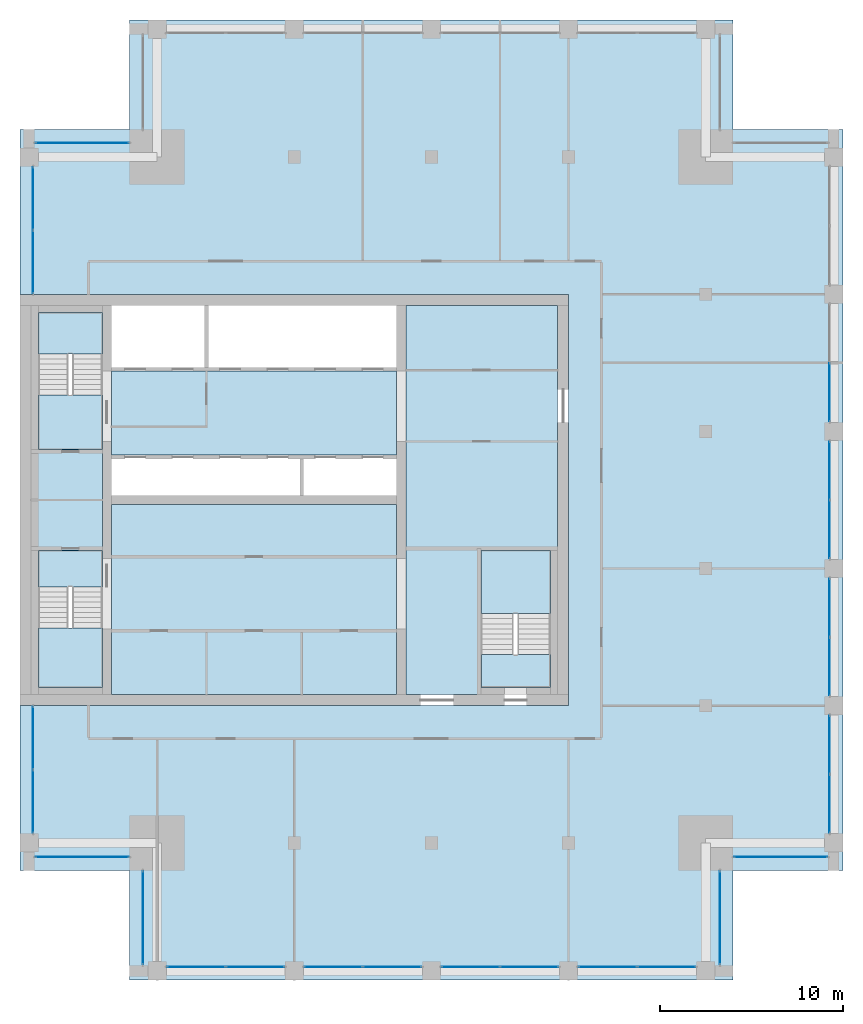
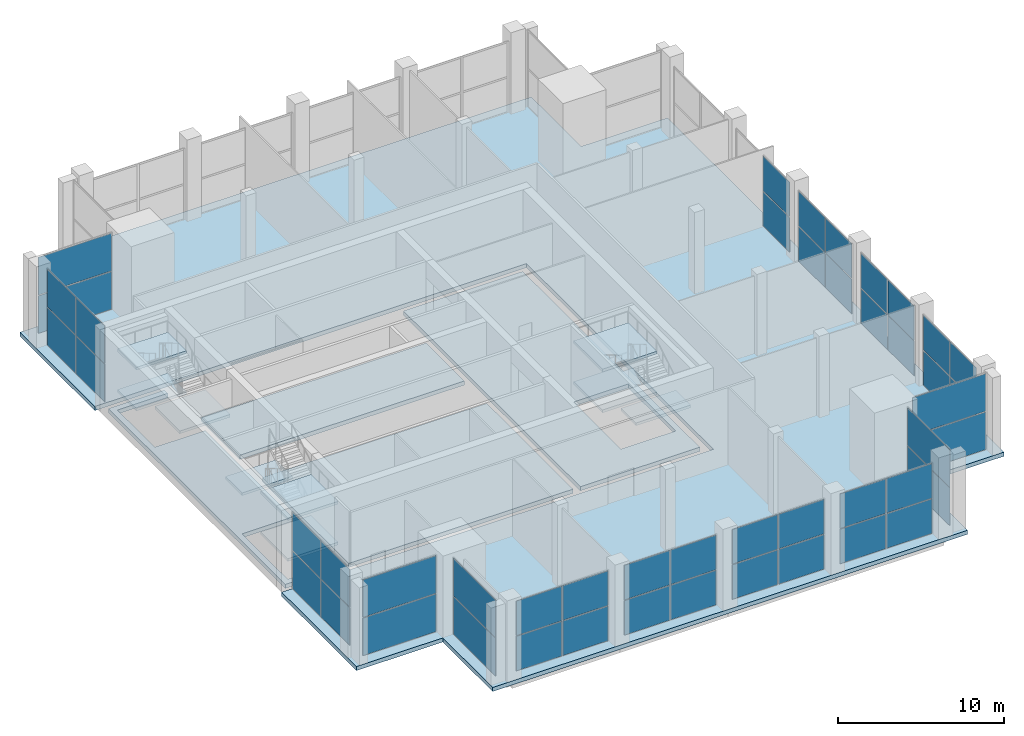
# One storey, part 7 of 15: 48 plates, 14 slabs, 18 elements without a shape of their own.
"""IFC4 building model written with IfcOpenShell, lengths in metres."""

from ifc_helpers import new_model, si_unit, direction, frame, origin, origin_2d, place, context, subcontext, project, spatial, polyline, rectangle, outline, extrude, material, layer, layer_set, type_object, element, aggregate, save


model = new_model("IFC4")

# Units and contexts
model_context = context("Model", 3, precision=1e-05, world=origin(), true_north=direction((0.0, 1.0)))
body_context = subcontext(model_context, "Body", "Model", "MODEL_VIEW")
ifc_project = project(units=[si_unit("LENGTHUNIT", "METRE"), si_unit("AREAUNIT", "SQUARE_METRE"), si_unit("VOLUMEUNIT", "CUBIC_METRE"), si_unit("PLANEANGLEUNIT", "RADIAN"), si_unit("MASSUNIT", "GRAM", prefix="KILO")], contexts=[model_context])

# Site, building, storey
site_placement = place(None, origin())
site = spatial("IfcSite", under=ifc_project, at=site_placement, CompositionType="ELEMENT")
building_placement = place(site_placement, origin())
building = spatial("IfcBuilding", under=site, at=building_placement, Name="Tamorin Gate", CompositionType="ELEMENT")
storey_placement = place(building_placement, frame((0.0, 0.0, 302.699951171875)))
storey = spatial("IfcBuildingStorey", under=building, at=storey_placement, Name="L75", CompositionType="ELEMENT", Elevation=302.699951171875)

# Curtain wall, plates
ifc_material_1 = material(Name="Aluminium mullions and transoms with clear glass", Category="aluminium")
ifc_layer_1 = layer(ifc_material_1, 0.159912109375)
ifc_layer_set_1 = layer_set([ifc_layer_1], Name="Curtain wall system CW4")
curtain_wall_type = type_object("IfcCurtainWallType", Name="Curtain wall system CW4", PredefinedType="NOTDEFINED", material=ifc_layer_set_1)
curtain_wall_1_placement = place(storey_placement, origin())
curtain_wall_1 = element("IfcCurtainWall", 1, at=curtain_wall_1_placement, inside=storey, type_object=curtain_wall_type, Name="Curtain wall", PredefinedType="NOTDEFINED")
ifc_material_2 = material(Name="Clear glass", Category="glass")
ifc_layer_2 = layer(ifc_material_2, 0.028076171875)
ifc_layer_set_2 = layer_set([ifc_layer_2], Name="Clear glass panel IGU 28")
plate_type = type_object("IfcPlateType", Name="Clear glass panel IGU 28", PredefinedType="CURTAIN_PANEL", material=ifc_layer_set_2)
plate_1_placement = place(storey_placement, frame((39.639892578125, 45.719970703125, 0.06005859375), z_axis=(0.0, 0.0, 1.0), x_axis=(1.0, 0.0, 0.0)))
plate_1 = element("IfcPlate", 2, at=plate_1_placement, type_object=plate_type, Name="CW4 panel 1.1", PredefinedType="CURTAIN_PANEL", context=body_context, shape_type="SweptSolid", body=[
    extrude(rectangle(XDim=3.159912109375, YDim=0.028076171875, at=origin_2d()), origin(), (0.0, 0.0, 1.0), 2.534912109375),
])
plate_2_placement = place(storey_placement, frame((39.639892578125, 45.719970703125, 2.6552734375), z_axis=(0.0, 0.0, 1.0), x_axis=(1.0, 0.0, 0.0)))
plate_2 = element("IfcPlate", 3, at=plate_2_placement, type_object=plate_type, Name="CW4 panel 1.2", PredefinedType="CURTAIN_PANEL", context=body_context, shape_type="SweptSolid", body=[
    extrude(rectangle(XDim=3.159912109375, YDim=0.028076171875, at=origin_2d()), origin(), (0.0, 0.0, 1.0), 2.534912109375),
])
plate_3_placement = place(storey_placement, frame((42.860107421875, 45.719970703125, 0.06005859375), z_axis=(0.0, 0.0, 1.0), x_axis=(1.0, 0.0, 0.0)))
plate_3 = element("IfcPlate", 4, at=plate_3_placement, type_object=plate_type, Name="CW4 panel 2.1", PredefinedType="CURTAIN_PANEL", context=body_context, shape_type="SweptSolid", body=[
    extrude(rectangle(XDim=3.159912109375, YDim=0.028076171875, at=origin_2d()), origin(), (0.0, 0.0, 1.0), 2.534912109375),
])
plate_4_placement = place(storey_placement, frame((42.860107421875, 45.719970703125, 2.6552734375), z_axis=(0.0, 0.0, 1.0), x_axis=(1.0, 0.0, 0.0)))
plate_4 = element("IfcPlate", 5, at=plate_4_placement, type_object=plate_type, Name="CW4 panel 2.2", PredefinedType="CURTAIN_PANEL", context=body_context, shape_type="SweptSolid", body=[
    extrude(rectangle(XDim=3.159912109375, YDim=0.028076171875, at=origin_2d()), origin(), (0.0, 0.0, 1.0), 2.534912109375),
])
aggregate(curtain_wall_1, [plate_1, plate_2, plate_3, plate_4])

curtain_wall_2_placement = place(storey_placement, origin())
curtain_wall_2 = element("IfcCurtainWall", 6, at=curtain_wall_2_placement, inside=storey, type_object=curtain_wall_type, Name="Curtain wall", PredefinedType="NOTDEFINED")
plate_5_placement = place(storey_placement, frame((47.139892578125, 45.719970703125, 0.06005859375), z_axis=(0.0, 0.0, 1.0), x_axis=(1.0, 0.0, 0.0)))
plate_5 = element("IfcPlate", 7, at=plate_5_placement, type_object=plate_type, Name="CW4 panel 1.1", PredefinedType="CURTAIN_PANEL", context=body_context, shape_type="SweptSolid", body=[
    extrude(rectangle(XDim=3.159912109375, YDim=0.028076171875, at=origin_2d()), origin(), (0.0, 0.0, 1.0), 2.534912109375),
])
plate_6_placement = place(storey_placement, frame((47.139892578125, 45.719970703125, 2.6552734375), z_axis=(0.0, 0.0, 1.0), x_axis=(1.0, 0.0, 0.0)))
plate_6 = element("IfcPlate", 8, at=plate_6_placement, type_object=plate_type, Name="CW4 panel 1.2", PredefinedType="CURTAIN_PANEL", context=body_context, shape_type="SweptSolid", body=[
    extrude(rectangle(XDim=3.159912109375, YDim=0.028076171875, at=origin_2d()), origin(), (0.0, 0.0, 1.0), 2.534912109375),
])
plate_7_placement = place(storey_placement, frame((50.360107421875, 45.719970703125, 0.06005859375), z_axis=(0.0, 0.0, 1.0), x_axis=(1.0, 0.0, 0.0)))
plate_7 = element("IfcPlate", 9, at=plate_7_placement, type_object=plate_type, Name="CW4 panel 2.1", PredefinedType="CURTAIN_PANEL", context=body_context, shape_type="SweptSolid", body=[
    extrude(rectangle(XDim=3.159912109375, YDim=0.028076171875, at=origin_2d()), origin(), (0.0, 0.0, 1.0), 2.534912109375),
])
plate_8_placement = place(storey_placement, frame((50.360107421875, 45.719970703125, 2.6552734375), z_axis=(0.0, 0.0, 1.0), x_axis=(1.0, 0.0, 0.0)))
plate_8 = element("IfcPlate", 10, at=plate_8_placement, type_object=plate_type, Name="CW4 panel 2.2", PredefinedType="CURTAIN_PANEL", context=body_context, shape_type="SweptSolid", body=[
    extrude(rectangle(XDim=3.159912109375, YDim=0.028076171875, at=origin_2d()), origin(), (0.0, 0.0, 1.0), 2.534912109375),
])
aggregate(curtain_wall_2, [plate_5, plate_6, plate_7, plate_8])

curtain_wall_3_placement = place(storey_placement, origin())
curtain_wall_3 = element("IfcCurtainWall", 11, at=curtain_wall_3_placement, inside=storey, type_object=curtain_wall_type, Name="Curtain wall", PredefinedType="NOTDEFINED")
plate_9_placement = place(storey_placement, frame((54.639892578125, 45.719970703125, 0.06005859375), z_axis=(0.0, 0.0, 1.0), x_axis=(1.0, 0.0, 0.0)))
plate_9 = element("IfcPlate", 12, at=plate_9_placement, type_object=plate_type, Name="CW4 panel 1.1", PredefinedType="CURTAIN_PANEL", context=body_context, shape_type="SweptSolid", body=[
    extrude(rectangle(XDim=3.159912109375, YDim=0.028076171875, at=origin_2d()), origin(), (0.0, 0.0, 1.0), 2.534912109375),
])
plate_10_placement = place(storey_placement, frame((54.639892578125, 45.719970703125, 2.6552734375), z_axis=(0.0, 0.0, 1.0), x_axis=(1.0, 0.0, 0.0)))
plate_10 = element("IfcPlate", 13, at=plate_10_placement, type_object=plate_type, Name="CW4 panel 1.2", PredefinedType="CURTAIN_PANEL", context=body_context, shape_type="SweptSolid", body=[
    extrude(rectangle(XDim=3.159912109375, YDim=0.028076171875, at=origin_2d()), origin(), (0.0, 0.0, 1.0), 2.534912109375),
])
plate_11_placement = place(storey_placement, frame((57.860107421875, 45.719970703125, 0.06005859375), z_axis=(0.0, 0.0, 1.0), x_axis=(1.0, 0.0, 0.0)))
plate_11 = element("IfcPlate", 14, at=plate_11_placement, type_object=plate_type, Name="CW4 panel 2.1", PredefinedType="CURTAIN_PANEL", context=body_context, shape_type="SweptSolid", body=[
    extrude(rectangle(XDim=3.159912109375, YDim=0.028076171875, at=origin_2d()), origin(), (0.0, 0.0, 1.0), 2.534912109375),
])
plate_12_placement = place(storey_placement, frame((57.860107421875, 45.719970703125, 2.6552734375), z_axis=(0.0, 0.0, 1.0), x_axis=(1.0, 0.0, 0.0)))
plate_12 = element("IfcPlate", 15, at=plate_12_placement, type_object=plate_type, Name="CW4 panel 2.2", PredefinedType="CURTAIN_PANEL", context=body_context, shape_type="SweptSolid", body=[
    extrude(rectangle(XDim=3.159912109375, YDim=0.028076171875, at=origin_2d()), origin(), (0.0, 0.0, 1.0), 2.534912109375),
])
aggregate(curtain_wall_3, [plate_9, plate_10, plate_11, plate_12])

curtain_wall_4_placement = place(storey_placement, origin())
curtain_wall_4 = element("IfcCurtainWall", 16, at=curtain_wall_4_placement, inside=storey, type_object=curtain_wall_type, Name="Curtain wall", PredefinedType="NOTDEFINED")
plate_13_placement = place(storey_placement, frame((62.139892578125, 45.719970703125, 0.06005859375), z_axis=(0.0, 0.0, 1.0), x_axis=(1.0, 0.0, 0.0)))
plate_13 = element("IfcPlate", 17, at=plate_13_placement, type_object=plate_type, Name="CW4 panel 1.1", PredefinedType="CURTAIN_PANEL", context=body_context, shape_type="SweptSolid", body=[
    extrude(rectangle(XDim=3.159912109375, YDim=0.028076171875, at=origin_2d()), origin(), (0.0, 0.0, 1.0), 2.534912109375),
])
plate_14_placement = place(storey_placement, frame((62.139892578125, 45.719970703125, 2.6552734375), z_axis=(0.0, 0.0, 1.0), x_axis=(1.0, 0.0, 0.0)))
plate_14 = element("IfcPlate", 18, at=plate_14_placement, type_object=plate_type, Name="CW4 panel 1.2", PredefinedType="CURTAIN_PANEL", context=body_context, shape_type="SweptSolid", body=[
    extrude(rectangle(XDim=3.159912109375, YDim=0.028076171875, at=origin_2d()), origin(), (0.0, 0.0, 1.0), 2.534912109375),
])
plate_15_placement = place(storey_placement, frame((65.360107421875, 45.719970703125, 0.06005859375), z_axis=(0.0, 0.0, 1.0), x_axis=(1.0, 0.0, 0.0)))
plate_15 = element("IfcPlate", 19, at=plate_15_placement, type_object=plate_type, Name="CW4 panel 2.1", PredefinedType="CURTAIN_PANEL", context=body_context, shape_type="SweptSolid", body=[
    extrude(rectangle(XDim=3.159912109375, YDim=0.028076171875, at=origin_2d()), origin(), (0.0, 0.0, 1.0), 2.534912109375),
])
plate_16_placement = place(storey_placement, frame((65.360107421875, 45.719970703125, 2.6552734375), z_axis=(0.0, 0.0, 1.0), x_axis=(1.0, 0.0, 0.0)))
plate_16 = element("IfcPlate", 20, at=plate_16_placement, type_object=plate_type, Name="CW4 panel 2.2", PredefinedType="CURTAIN_PANEL", context=body_context, shape_type="SweptSolid", body=[
    extrude(rectangle(XDim=3.159912109375, YDim=0.028076171875, at=origin_2d()), origin(), (0.0, 0.0, 1.0), 2.534912109375),
])
aggregate(curtain_wall_4, [plate_13, plate_14, plate_15, plate_16])

curtain_wall_5_placement = place(storey_placement, origin())
curtain_wall_5 = element("IfcCurtainWall", 21, at=curtain_wall_5_placement, inside=storey, type_object=curtain_wall_type, Name="Curtain wall", PredefinedType="NOTDEFINED")
plate_17_placement = place(storey_placement, frame((68.280029296875, 48.39990234375, 0.06005859375), z_axis=(0.0, 0.0, 1.0), x_axis=(0.0, 1.0, 0.0)))
plate_17 = element("IfcPlate", 22, at=plate_17_placement, type_object=plate_type, Name="CW4 panel 1.1", PredefinedType="CURTAIN_PANEL", context=body_context, shape_type="SweptSolid", body=[
    extrude(rectangle(XDim=5.080078125, YDim=0.028076171875, at=origin_2d()), origin(), (0.0, 0.0, 1.0), 2.760009765625),
])
plate_18_placement = place(storey_placement, frame((68.280029296875, 48.39990234375, 2.8798828125), z_axis=(0.0, 0.0, 1.0), x_axis=(0.0, 1.0, 0.0)))
plate_18 = element("IfcPlate", 23, at=plate_18_placement, type_object=plate_type, Name="CW4 panel 1.2", PredefinedType="CURTAIN_PANEL", context=body_context, shape_type="SweptSolid", body=[
    extrude(rectangle(XDim=5.080078125, YDim=0.028076171875, at=origin_2d()), origin(), (0.0, 0.0, 1.0), 2.760009765625),
])
aggregate(curtain_wall_5, [plate_17, plate_18])

curtain_wall_6_placement = place(storey_placement, origin())
curtain_wall_6 = element("IfcCurtainWall", 24, at=curtain_wall_6_placement, inside=storey, type_object=curtain_wall_type, Name="Curtain wall", PredefinedType="NOTDEFINED")
plate_19_placement = place(storey_placement, frame((71.60009765625, 51.719970703125, 0.06005859375), z_axis=(0.0, 0.0, 1.0), x_axis=(1.0, 0.0, 0.0)))
plate_19 = element("IfcPlate", 25, at=plate_19_placement, type_object=plate_type, Name="CW4 panel 1.1", PredefinedType="CURTAIN_PANEL", context=body_context, shape_type="SweptSolid", body=[
    extrude(rectangle(XDim=5.080078125, YDim=0.028076171875, at=origin_2d()), origin(), (0.0, 0.0, 1.0), 2.760009765625),
])
plate_20_placement = place(storey_placement, frame((71.60009765625, 51.719970703125, 2.8798828125), z_axis=(0.0, 0.0, 1.0), x_axis=(1.0, 0.0, 0.0)))
plate_20 = element("IfcPlate", 26, at=plate_20_placement, type_object=plate_type, Name="CW4 panel 1.2", PredefinedType="CURTAIN_PANEL", context=body_context, shape_type="SweptSolid", body=[
    extrude(rectangle(XDim=5.080078125, YDim=0.028076171875, at=origin_2d()), origin(), (0.0, 0.0, 1.0), 2.760009765625),
])
aggregate(curtain_wall_6, [plate_19, plate_20])

curtain_wall_7_placement = place(storey_placement, origin())
curtain_wall_7 = element("IfcCurtainWall", 27, at=curtain_wall_7_placement, inside=storey, type_object=curtain_wall_type, Name="Curtain wall", PredefinedType="NOTDEFINED")
plate_21_placement = place(storey_placement, frame((74.280029296875, 54.639892578125, 0.06005859375), z_axis=(0.0, 0.0, 1.0), x_axis=(0.0, 1.0, 0.0)))
plate_21 = element("IfcPlate", 28, at=plate_21_placement, type_object=plate_type, Name="CW4 panel 1.1", PredefinedType="CURTAIN_PANEL", context=body_context, shape_type="SweptSolid", body=[
    extrude(rectangle(XDim=3.159912109375, YDim=0.028076171875, at=origin_2d()), origin(), (0.0, 0.0, 1.0), 2.534912109375),
])
plate_22_placement = place(storey_placement, frame((74.280029296875, 54.639892578125, 2.6552734375), z_axis=(0.0, 0.0, 1.0), x_axis=(0.0, 1.0, 0.0)))
plate_22 = element("IfcPlate", 29, at=plate_22_placement, type_object=plate_type, Name="CW4 panel 1.2", PredefinedType="CURTAIN_PANEL", context=body_context, shape_type="SweptSolid", body=[
    extrude(rectangle(XDim=3.159912109375, YDim=0.028076171875, at=origin_2d()), origin(), (0.0, 0.0, 1.0), 2.534912109375),
])
plate_23_placement = place(storey_placement, frame((74.280029296875, 57.860107421875, 0.06005859375), z_axis=(0.0, 0.0, 1.0), x_axis=(0.0, 1.0, 0.0)))
plate_23 = element("IfcPlate", 30, at=plate_23_placement, type_object=plate_type, Name="CW4 panel 2.1", PredefinedType="CURTAIN_PANEL", context=body_context, shape_type="SweptSolid", body=[
    extrude(rectangle(XDim=3.159912109375, YDim=0.028076171875, at=origin_2d()), origin(), (0.0, 0.0, 1.0), 2.534912109375),
])
plate_24_placement = place(storey_placement, frame((74.280029296875, 57.860107421875, 2.6552734375), z_axis=(0.0, 0.0, 1.0), x_axis=(0.0, 1.0, 0.0)))
plate_24 = element("IfcPlate", 31, at=plate_24_placement, type_object=plate_type, Name="CW4 panel 2.2", PredefinedType="CURTAIN_PANEL", context=body_context, shape_type="SweptSolid", body=[
    extrude(rectangle(XDim=3.159912109375, YDim=0.028076171875, at=origin_2d()), origin(), (0.0, 0.0, 1.0), 2.534912109375),
])
aggregate(curtain_wall_7, [plate_21, plate_22, plate_23, plate_24])

curtain_wall_8_placement = place(storey_placement, origin())
curtain_wall_8 = element("IfcCurtainWall", 32, at=curtain_wall_8_placement, inside=storey, type_object=curtain_wall_type, Name="Curtain wall", PredefinedType="NOTDEFINED")
plate_25_placement = place(storey_placement, frame((74.280029296875, 62.139892578125, 0.06005859375), z_axis=(0.0, 0.0, 1.0), x_axis=(0.0, 1.0, 0.0)))
plate_25 = element("IfcPlate", 33, at=plate_25_placement, type_object=plate_type, Name="CW4 panel 1.1", PredefinedType="CURTAIN_PANEL", context=body_context, shape_type="SweptSolid", body=[
    extrude(rectangle(XDim=3.159912109375, YDim=0.028076171875, at=origin_2d()), origin(), (0.0, 0.0, 1.0), 2.534912109375),
])
plate_26_placement = place(storey_placement, frame((74.280029296875, 62.139892578125, 2.6552734375), z_axis=(0.0, 0.0, 1.0), x_axis=(0.0, 1.0, 0.0)))
plate_26 = element("IfcPlate", 34, at=plate_26_placement, type_object=plate_type, Name="CW4 panel 1.2", PredefinedType="CURTAIN_PANEL", context=body_context, shape_type="SweptSolid", body=[
    extrude(rectangle(XDim=3.159912109375, YDim=0.028076171875, at=origin_2d()), origin(), (0.0, 0.0, 1.0), 2.534912109375),
])
plate_27_placement = place(storey_placement, frame((74.280029296875, 65.360107421875, 0.06005859375), z_axis=(0.0, 0.0, 1.0), x_axis=(0.0, 1.0, 0.0)))
plate_27 = element("IfcPlate", 35, at=plate_27_placement, type_object=plate_type, Name="CW4 panel 2.1", PredefinedType="CURTAIN_PANEL", context=body_context, shape_type="SweptSolid", body=[
    extrude(rectangle(XDim=3.159912109375, YDim=0.028076171875, at=origin_2d()), origin(), (0.0, 0.0, 1.0), 2.534912109375),
])
plate_28_placement = place(storey_placement, frame((74.280029296875, 65.360107421875, 2.6552734375), z_axis=(0.0, 0.0, 1.0), x_axis=(0.0, 1.0, 0.0)))
plate_28 = element("IfcPlate", 36, at=plate_28_placement, type_object=plate_type, Name="CW4 panel 2.2", PredefinedType="CURTAIN_PANEL", context=body_context, shape_type="SweptSolid", body=[
    extrude(rectangle(XDim=3.159912109375, YDim=0.028076171875, at=origin_2d()), origin(), (0.0, 0.0, 1.0), 2.534912109375),
])
aggregate(curtain_wall_8, [plate_25, plate_26, plate_27, plate_28])

curtain_wall_9_placement = place(storey_placement, origin())
curtain_wall_9 = element("IfcCurtainWall", 37, at=curtain_wall_9_placement, inside=storey, type_object=curtain_wall_type, Name="Curtain wall", PredefinedType="NOTDEFINED")
plate_29_placement = place(storey_placement, frame((74.280029296875, 69.639892578125, 0.06005859375), z_axis=(0.0, 0.0, 1.0), x_axis=(0.0, 1.0, 0.0)))
plate_29 = element("IfcPlate", 38, at=plate_29_placement, type_object=plate_type, Name="CW4 panel 1.1", PredefinedType="CURTAIN_PANEL", context=body_context, shape_type="SweptSolid", body=[
    extrude(rectangle(XDim=3.159912109375, YDim=0.028076171875, at=origin_2d()), origin(), (0.0, 0.0, 1.0), 2.534912109375),
])
plate_30_placement = place(storey_placement, frame((74.280029296875, 69.639892578125, 2.6552734375), z_axis=(0.0, 0.0, 1.0), x_axis=(0.0, 1.0, 0.0)))
plate_30 = element("IfcPlate", 39, at=plate_30_placement, type_object=plate_type, Name="CW4 panel 1.2", PredefinedType="CURTAIN_PANEL", context=body_context, shape_type="SweptSolid", body=[
    extrude(rectangle(XDim=3.159912109375, YDim=0.028076171875, at=origin_2d()), origin(), (0.0, 0.0, 1.0), 2.534912109375),
])
plate_31_placement = place(storey_placement, frame((74.280029296875, 72.860107421875, 0.06005859375), z_axis=(0.0, 0.0, 1.0), x_axis=(0.0, 1.0, 0.0)))
plate_31 = element("IfcPlate", 40, at=plate_31_placement, type_object=plate_type, Name="CW4 panel 2.1", PredefinedType="CURTAIN_PANEL", context=body_context, shape_type="SweptSolid", body=[
    extrude(rectangle(XDim=3.159912109375, YDim=0.028076171875, at=origin_2d()), origin(), (0.0, 0.0, 1.0), 2.534912109375),
])
plate_32_placement = place(storey_placement, frame((74.280029296875, 72.860107421875, 2.6552734375), z_axis=(0.0, 0.0, 1.0), x_axis=(0.0, 1.0, 0.0)))
plate_32 = element("IfcPlate", 41, at=plate_32_placement, type_object=plate_type, Name="CW4 panel 2.2", PredefinedType="CURTAIN_PANEL", context=body_context, shape_type="SweptSolid", body=[
    extrude(rectangle(XDim=3.159912109375, YDim=0.028076171875, at=origin_2d()), origin(), (0.0, 0.0, 1.0), 2.534912109375),
])
aggregate(curtain_wall_9, [plate_29, plate_30, plate_31, plate_32])

curtain_wall_10_placement = place(storey_placement, origin())
curtain_wall_10 = element("IfcCurtainWall", 42, at=curtain_wall_10_placement, inside=storey, type_object=curtain_wall_type, Name="Curtain wall", PredefinedType="NOTDEFINED")
plate_33_placement = place(storey_placement, frame((74.280029296875, 77.139892578125, 0.06005859375), z_axis=(0.0, 0.0, 1.0), x_axis=(0.0, 1.0, 0.0)))
plate_33 = element("IfcPlate", 43, at=plate_33_placement, type_object=plate_type, Name="CW4 panel 1.1", PredefinedType="CURTAIN_PANEL", context=body_context, shape_type="SweptSolid", body=[
    extrude(rectangle(XDim=3.159912109375, YDim=0.028076171875, at=origin_2d()), origin(), (0.0, 0.0, 1.0), 2.534912109375),
])
plate_34_placement = place(storey_placement, frame((74.280029296875, 77.139892578125, 2.6552734375), z_axis=(0.0, 0.0, 1.0), x_axis=(0.0, 1.0, 0.0)))
plate_34 = element("IfcPlate", 44, at=plate_34_placement, type_object=plate_type, Name="CW4 panel 1.2", PredefinedType="CURTAIN_PANEL", context=body_context, shape_type="SweptSolid", body=[
    extrude(rectangle(XDim=3.159912109375, YDim=0.028076171875, at=origin_2d()), origin(), (0.0, 0.0, 1.0), 2.534912109375),
])
aggregate(curtain_wall_10, [plate_33, plate_34])

curtain_wall_11_placement = place(storey_placement, origin())
curtain_wall_11 = element("IfcCurtainWall", 45, at=curtain_wall_11_placement, inside=storey, type_object=curtain_wall_type, Name="Curtain wall", PredefinedType="NOTDEFINED")
plate_35_placement = place(storey_placement, frame((33.39990234375, 90.780029296875, 0.06005859375), z_axis=(0.0, 0.0, 1.0), x_axis=(-1.0, 0.0, 0.0)))
plate_35 = element("IfcPlate", 46, at=plate_35_placement, type_object=plate_type, Name="CW4 panel 1.1", PredefinedType="CURTAIN_PANEL", context=body_context, shape_type="SweptSolid", body=[
    extrude(rectangle(XDim=5.080078125, YDim=0.028076171875, at=origin_2d()), origin(), (0.0, 0.0, 1.0), 2.760009765625),
])
plate_36_placement = place(storey_placement, frame((33.39990234375, 90.780029296875, 2.8798828125), z_axis=(0.0, 0.0, 1.0), x_axis=(-1.0, 0.0, 0.0)))
plate_36 = element("IfcPlate", 47, at=plate_36_placement, type_object=plate_type, Name="CW4 panel 1.2", PredefinedType="CURTAIN_PANEL", context=body_context, shape_type="SweptSolid", body=[
    extrude(rectangle(XDim=5.080078125, YDim=0.028076171875, at=origin_2d()), origin(), (0.0, 0.0, 1.0), 2.760009765625),
])
aggregate(curtain_wall_11, [plate_35, plate_36])

curtain_wall_12_placement = place(storey_placement, origin())
curtain_wall_12 = element("IfcCurtainWall", 48, at=curtain_wall_12_placement, inside=storey, type_object=curtain_wall_type, Name="Curtain wall", PredefinedType="NOTDEFINED")
plate_37_placement = place(storey_placement, frame((30.719970703125, 87.735107421875, 0.06005859375), z_axis=(0.0, 0.0, 1.0), x_axis=(0.0, -1.0, 0.0)))
plate_37 = element("IfcPlate", 49, at=plate_37_placement, type_object=plate_type, Name="CW4 panel 1.1", PredefinedType="CURTAIN_PANEL", context=body_context, shape_type="SweptSolid", body=[
    extrude(rectangle(XDim=3.409912109375, YDim=0.028076171875, at=origin_2d()), origin(), (0.0, 0.0, 1.0), 2.760009765625),
])
plate_38_placement = place(storey_placement, frame((30.719970703125, 87.735107421875, 2.8798828125), z_axis=(0.0, 0.0, 1.0), x_axis=(0.0, -1.0, 0.0)))
plate_38 = element("IfcPlate", 50, at=plate_38_placement, type_object=plate_type, Name="CW4 panel 1.2", PredefinedType="CURTAIN_PANEL", context=body_context, shape_type="SweptSolid", body=[
    extrude(rectangle(XDim=3.409912109375, YDim=0.028076171875, at=origin_2d()), origin(), (0.0, 0.0, 1.0), 2.760009765625),
])
plate_39_placement = place(storey_placement, frame((30.719970703125, 84.264892578125, 0.06005859375), z_axis=(0.0, 0.0, 1.0), x_axis=(0.0, -1.0, 0.0)))
plate_39 = element("IfcPlate", 51, at=plate_39_placement, type_object=plate_type, Name="CW4 panel 2.1", PredefinedType="CURTAIN_PANEL", context=body_context, shape_type="SweptSolid", body=[
    extrude(rectangle(XDim=3.409912109375, YDim=0.028076171875, at=origin_2d()), origin(), (0.0, 0.0, 1.0), 2.760009765625),
])
plate_40_placement = place(storey_placement, frame((30.719970703125, 84.264892578125, 2.8798828125), z_axis=(0.0, 0.0, 1.0), x_axis=(0.0, -1.0, 0.0)))
plate_40 = element("IfcPlate", 52, at=plate_40_placement, type_object=plate_type, Name="CW4 panel 2.2", PredefinedType="CURTAIN_PANEL", context=body_context, shape_type="SweptSolid", body=[
    extrude(rectangle(XDim=3.409912109375, YDim=0.028076171875, at=origin_2d()), origin(), (0.0, 0.0, 1.0), 2.760009765625),
])
aggregate(curtain_wall_12, [plate_37, plate_38, plate_39, plate_40])

curtain_wall_13_placement = place(storey_placement, origin())
curtain_wall_13 = element("IfcCurtainWall", 53, at=curtain_wall_13_placement, inside=storey, type_object=curtain_wall_type, Name="Curtain wall", PredefinedType="NOTDEFINED")
plate_41_placement = place(storey_placement, frame((30.719970703125, 58.235107421875, 0.06005859375), z_axis=(0.0, 0.0, 1.0), x_axis=(0.0, -1.0, 0.0)))
plate_41 = element("IfcPlate", 54, at=plate_41_placement, type_object=plate_type, Name="CW4 panel 1.1", PredefinedType="CURTAIN_PANEL", context=body_context, shape_type="SweptSolid", body=[
    extrude(rectangle(XDim=3.409912109375, YDim=0.028076171875, at=origin_2d()), origin(), (0.0, 0.0, 1.0), 2.760009765625),
])
plate_42_placement = place(storey_placement, frame((30.719970703125, 58.235107421875, 2.8798828125), z_axis=(0.0, 0.0, 1.0), x_axis=(0.0, -1.0, 0.0)))
plate_42 = element("IfcPlate", 55, at=plate_42_placement, type_object=plate_type, Name="CW4 panel 1.2", PredefinedType="CURTAIN_PANEL", context=body_context, shape_type="SweptSolid", body=[
    extrude(rectangle(XDim=3.409912109375, YDim=0.028076171875, at=origin_2d()), origin(), (0.0, 0.0, 1.0), 2.760009765625),
])
plate_43_placement = place(storey_placement, frame((30.719970703125, 54.764892578125, 0.06005859375), z_axis=(0.0, 0.0, 1.0), x_axis=(0.0, -1.0, 0.0)))
plate_43 = element("IfcPlate", 56, at=plate_43_placement, type_object=plate_type, Name="CW4 panel 2.1", PredefinedType="CURTAIN_PANEL", context=body_context, shape_type="SweptSolid", body=[
    extrude(rectangle(XDim=3.409912109375, YDim=0.028076171875, at=origin_2d()), origin(), (0.0, 0.0, 1.0), 2.760009765625),
])
plate_44_placement = place(storey_placement, frame((30.719970703125, 54.764892578125, 2.8798828125), z_axis=(0.0, 0.0, 1.0), x_axis=(0.0, -1.0, 0.0)))
plate_44 = element("IfcPlate", 57, at=plate_44_placement, type_object=plate_type, Name="CW4 panel 2.2", PredefinedType="CURTAIN_PANEL", context=body_context, shape_type="SweptSolid", body=[
    extrude(rectangle(XDim=3.409912109375, YDim=0.028076171875, at=origin_2d()), origin(), (0.0, 0.0, 1.0), 2.760009765625),
])
aggregate(curtain_wall_13, [plate_41, plate_42, plate_43, plate_44])

curtain_wall_14_placement = place(storey_placement, origin())
curtain_wall_14 = element("IfcCurtainWall", 58, at=curtain_wall_14_placement, inside=storey, type_object=curtain_wall_type, Name="Curtain wall", PredefinedType="NOTDEFINED")
plate_45_placement = place(storey_placement, frame((33.39990234375, 51.719970703125, 0.06005859375), z_axis=(0.0, 0.0, 1.0), x_axis=(1.0, 0.0, 0.0)))
plate_45 = element("IfcPlate", 59, at=plate_45_placement, type_object=plate_type, Name="CW4 panel 1.1", PredefinedType="CURTAIN_PANEL", context=body_context, shape_type="SweptSolid", body=[
    extrude(rectangle(XDim=5.080078125, YDim=0.028076171875, at=origin_2d()), origin(), (0.0, 0.0, 1.0), 2.760009765625),
])
plate_46_placement = place(storey_placement, frame((33.39990234375, 51.719970703125, 2.8798828125), z_axis=(0.0, 0.0, 1.0), x_axis=(1.0, 0.0, 0.0)))
plate_46 = element("IfcPlate", 60, at=plate_46_placement, type_object=plate_type, Name="CW4 panel 1.2", PredefinedType="CURTAIN_PANEL", context=body_context, shape_type="SweptSolid", body=[
    extrude(rectangle(XDim=5.080078125, YDim=0.028076171875, at=origin_2d()), origin(), (0.0, 0.0, 1.0), 2.760009765625),
])
aggregate(curtain_wall_14, [plate_45, plate_46])

curtain_wall_15_placement = place(storey_placement, origin())
curtain_wall_15 = element("IfcCurtainWall", 61, at=curtain_wall_15_placement, inside=storey, type_object=curtain_wall_type, Name="Curtain wall", PredefinedType="NOTDEFINED")
plate_47_placement = place(storey_placement, frame((36.719970703125, 48.39990234375, 0.06005859375), z_axis=(0.0, 0.0, 1.0), x_axis=(0.0, -1.0, 0.0)))
plate_47 = element("IfcPlate", 62, at=plate_47_placement, type_object=plate_type, Name="CW4 panel 1.1", PredefinedType="CURTAIN_PANEL", context=body_context, shape_type="SweptSolid", body=[
    extrude(rectangle(XDim=5.080078125, YDim=0.028076171875, at=origin_2d()), origin(), (0.0, 0.0, 1.0), 2.760009765625),
])
plate_48_placement = place(storey_placement, frame((36.719970703125, 48.39990234375, 2.8798828125), z_axis=(0.0, 0.0, 1.0), x_axis=(0.0, -1.0, 0.0)))
plate_48 = element("IfcPlate", 63, at=plate_48_placement, type_object=plate_type, Name="CW4 panel 1.2", PredefinedType="CURTAIN_PANEL", context=body_context, shape_type="SweptSolid", body=[
    extrude(rectangle(XDim=5.080078125, YDim=0.028076171875, at=origin_2d()), origin(), (0.0, 0.0, 1.0), 2.760009765625),
])
aggregate(curtain_wall_15, [plate_47, plate_48])

# Slabs
ifc_material_3 = material(Name="Concrete C40/50", Category="concrete")
ifc_layer_3 = layer(ifc_material_3, 0.300048828125)
ifc_layer_set_3 = layer_set([ifc_layer_3], Name="Core floor slab 300 C40/50")
slab_type_1 = type_object("IfcSlabType", Name="Core floor slab 300 C40/50", PredefinedType="FLOOR", material=ifc_layer_set_3)
slab_1_placement = place(storey_placement, frame((0.0, 0.0, -0.300048828125)))
element("IfcSlab", 64, at=slab_1_placement, inside=storey, type_object=slab_type_1, Name="Core floor L75", PredefinedType="FLOOR", context=body_context, shape_type="SweptSolid", body=[
    extrude(outline(polyline([(51.10009765625, 81.89990234375), (59.39990234375, 81.89990234375), (59.39990234375, 60.60009765625), (51.10009765625, 60.60009765625), (51.10009765625, 81.89990234375)]), holes=[polyline([(55.199951171875, 62.800048828125), (59.0, 62.800048828125), (59.0, 68.5), (55.199951171875, 68.5), (55.199951171875, 62.800048828125)])]), origin(), (0.0, 0.0, 1.0), 0.300048828125),
])
slab_2_placement = place(storey_placement, frame((0.0, 0.0, -0.300048828125)))
element("IfcSlab", 65, at=slab_2_placement, inside=storey, type_object=slab_type_1, Name="Core floor L75", PredefinedType="FLOOR", context=body_context, shape_type="SweptSolid", body=[
    extrude(outline(polyline([(50.60009765625, 71.0), (50.60009765625, 60.60009765625), (35.0, 60.60009765625), (35.0, 71.0), (50.60009765625, 71.0)])), origin(), (0.0, 0.0, 1.0), 0.300048828125),
])
slab_3_placement = place(storey_placement, frame((0.0, 0.0, -0.300048828125)))
element("IfcSlab", 66, at=slab_3_placement, inside=storey, type_object=slab_type_1, Name="Core floor L75", PredefinedType="FLOOR", context=body_context, shape_type="SweptSolid", body=[
    extrude(outline(polyline([(50.60009765625, 73.699951171875), (35.0, 73.699951171875), (35.0, 78.300048828125), (50.60009765625, 78.300048828125), (50.60009765625, 73.699951171875)])), origin(), (0.0, 0.0, 1.0), 0.300048828125),
])
slab_4_placement = place(storey_placement, frame((0.0, 0.0, -0.300048828125)))
element("IfcSlab", 67, at=slab_4_placement, inside=storey, type_object=slab_type_1, Name="Core floor L75", PredefinedType="FLOOR", context=body_context, shape_type="SweptSolid", body=[
    extrude(outline(polyline([(34.5, 60.60009765625), (30.60009765625, 60.60009765625), (30.60009765625, 81.89990234375), (34.5, 81.89990234375), (34.5, 81.5), (31.0, 81.5), (31.0, 77.0), (34.5, 77.0), (34.5, 66.5), (31.0, 66.5), (31.0, 61.0), (34.5, 61.0), (34.5, 60.60009765625)])), origin(), (0.0, 0.0, 1.0), 0.300048828125),
])

# Stair, slabs
stair_type = type_object("IfcStairType", Name="Exit stair", PredefinedType="HALF_TURN_STAIR", material=ifc_material_3)
stair_1_placement = place(storey_placement, origin())
stair_1 = element("IfcStair", 68, at=stair_1_placement, inside=storey, type_object=stair_type, Name="L75 stair ST1", PredefinedType="HALF_TURN_STAIR")
ifc_layer_4 = layer(ifc_material_3, 0.199951171875)
ifc_layer_set_4 = layer_set([ifc_layer_4], Name="Exit stair landing 200")
slab_type_2 = type_object("IfcSlabType", Name="Exit stair landing 200", PredefinedType="LANDING", material=ifc_layer_set_4)
slab_5_placement = place(storey_placement, frame((0.0, 0.0, 1.300048828125)))
slab_5 = element("IfcSlab", 69, at=slab_5_placement, type_object=slab_type_2, Name="ST1 landing 1", PredefinedType="LANDING", context=body_context, shape_type="SweptSolid", body=[
    extrude(outline(polyline([(31.0, 64.260009765625), (31.0, 61.0), (34.5, 61.0), (34.5, 64.260009765625), (31.0, 64.260009765625)])), origin(), (0.0, 0.0, 1.0), 0.199951171875),
])
slab_6_placement = place(storey_placement, frame((0.0, 0.0, 2.800048828125)))
slab_6 = element("IfcSlab", 70, at=slab_6_placement, type_object=slab_type_2, Name="ST1 landing 2", PredefinedType="LANDING", context=body_context, shape_type="SweptSolid", body=[
    extrude(outline(polyline([(31.0, 68.5), (31.0, 66.5), (34.5, 66.5), (34.5, 68.5), (31.0, 68.5)])), origin(), (0.0, 0.0, 1.0), 0.199951171875),
])
slab_7_placement = place(storey_placement, frame((0.0, 0.0, 4.300048828125)))
slab_7 = element("IfcSlab", 71, at=slab_7_placement, type_object=slab_type_2, Name="ST1 landing 3", PredefinedType="LANDING", context=body_context, shape_type="SweptSolid", body=[
    extrude(outline(polyline([(31.0, 64.260009765625), (31.0, 61.0), (34.5, 61.0), (34.5, 64.260009765625), (31.0, 64.260009765625)])), origin(), (0.0, 0.0, 1.0), 0.199951171875),
])
aggregate(stair_1, [slab_5, slab_6, slab_7])

stair_2_placement = place(storey_placement, origin())
stair_2 = element("IfcStair", 72, at=stair_2_placement, inside=storey, type_object=stair_type, Name="L75 stair ST2", PredefinedType="HALF_TURN_STAIR")
slab_8_placement = place(storey_placement, frame((0.0, 0.0, 1.300048828125)))
slab_8 = element("IfcSlab", 73, at=slab_8_placement, type_object=slab_type_2, Name="ST2 landing 1", PredefinedType="LANDING", context=body_context, shape_type="SweptSolid", body=[
    extrude(outline(polyline([(34.5, 79.239990234375), (34.5, 81.5), (31.0, 81.5), (31.0, 79.239990234375), (34.5, 79.239990234375)])), origin(), (0.0, 0.0, 1.0), 0.199951171875),
])
slab_9_placement = place(storey_placement, frame((0.0, 0.0, 2.800048828125)))
slab_9 = element("IfcSlab", 74, at=slab_9_placement, type_object=slab_type_2, Name="ST2 landing 2", PredefinedType="LANDING", context=body_context, shape_type="SweptSolid", body=[
    extrude(outline(polyline([(34.5, 74.0), (34.5, 77.0), (31.0, 77.0), (31.0, 74.0), (34.5, 74.0)])), origin(), (0.0, 0.0, 1.0), 0.199951171875),
])
slab_10_placement = place(storey_placement, frame((0.0, 0.0, 4.300048828125)))
slab_10 = element("IfcSlab", 75, at=slab_10_placement, type_object=slab_type_2, Name="ST2 landing 3", PredefinedType="LANDING", context=body_context, shape_type="SweptSolid", body=[
    extrude(outline(polyline([(34.5, 79.239990234375), (34.5, 81.5), (31.0, 81.5), (31.0, 79.239990234375), (34.5, 79.239990234375)])), origin(), (0.0, 0.0, 1.0), 0.199951171875),
])
aggregate(stair_2, [slab_8, slab_9, slab_10])

stair_3_placement = place(storey_placement, origin())
stair_3 = element("IfcStair", 76, at=stair_3_placement, inside=storey, type_object=stair_type, Name="L75 stair ST3", PredefinedType="HALF_TURN_STAIR")
slab_11_placement = place(storey_placement, frame((0.0, 0.0, 1.300048828125)))
slab_11 = element("IfcSlab", 77, at=slab_11_placement, type_object=slab_type_2, Name="ST3 landing 1", PredefinedType="LANDING", context=body_context, shape_type="SweptSolid", body=[
    extrude(outline(polyline([(59.0, 65.0400390625), (59.0, 68.5), (55.199951171875, 68.5), (55.199951171875, 65.0400390625), (59.0, 65.0400390625)])), origin(), (0.0, 0.0, 1.0), 0.199951171875),
])
slab_12_placement = place(storey_placement, frame((0.0, 0.0, 2.800048828125)))
slab_12 = element("IfcSlab", 78, at=slab_12_placement, type_object=slab_type_2, Name="ST3 landing 2", PredefinedType="LANDING", context=body_context, shape_type="SweptSolid", body=[
    extrude(outline(polyline([(59.0, 61.0), (59.0, 62.800048828125), (55.199951171875, 62.800048828125), (55.199951171875, 61.0), (59.0, 61.0)])), origin(), (0.0, 0.0, 1.0), 0.199951171875),
])
slab_13_placement = place(storey_placement, frame((0.0, 0.0, 4.300048828125)))
slab_13 = element("IfcSlab", 79, at=slab_13_placement, type_object=slab_type_2, Name="ST3 landing 3", PredefinedType="LANDING", context=body_context, shape_type="SweptSolid", body=[
    extrude(outline(polyline([(59.0, 65.0400390625), (59.0, 68.5), (55.199951171875, 68.5), (55.199951171875, 65.0400390625), (59.0, 65.0400390625)])), origin(), (0.0, 0.0, 1.0), 0.199951171875),
])
aggregate(stair_3, [slab_11, slab_12, slab_13])

# Slab
ifc_layer_5 = layer(ifc_material_3, 0.300048828125)
ifc_layer_set_5 = layer_set([ifc_layer_5], Name="Floor slab 300 C40/50")
slab_type_3 = type_object("IfcSlabType", Name="Floor slab 300 C40/50", PredefinedType="FLOOR", material=ifc_layer_set_5)
slab_14_placement = place(storey_placement, frame((0.0, 0.0, -0.300048828125)))
element("IfcSlab", 80, at=slab_14_placement, inside=storey, type_object=slab_type_3, Name="Floor L75", PredefinedType="FLOOR", context=body_context, shape_type="SweptSolid", body=[
    extrude(outline(polyline([(30.0, 91.5), (36.0, 91.5), (36.0, 97.5), (69.0, 97.5), (69.0, 91.5), (75.0, 91.5), (75.0, 51.0), (69.0, 51.0), (69.0, 45.0), (36.0, 45.0), (36.0, 51.0), (30.0, 51.0), (30.0, 60.0), (60.0, 60.0), (60.0, 82.5), (30.0, 82.5), (30.0, 91.5)])), origin(), (0.0, 0.0, 1.0), 0.300048828125),
])

save(model, "model.ifc")
